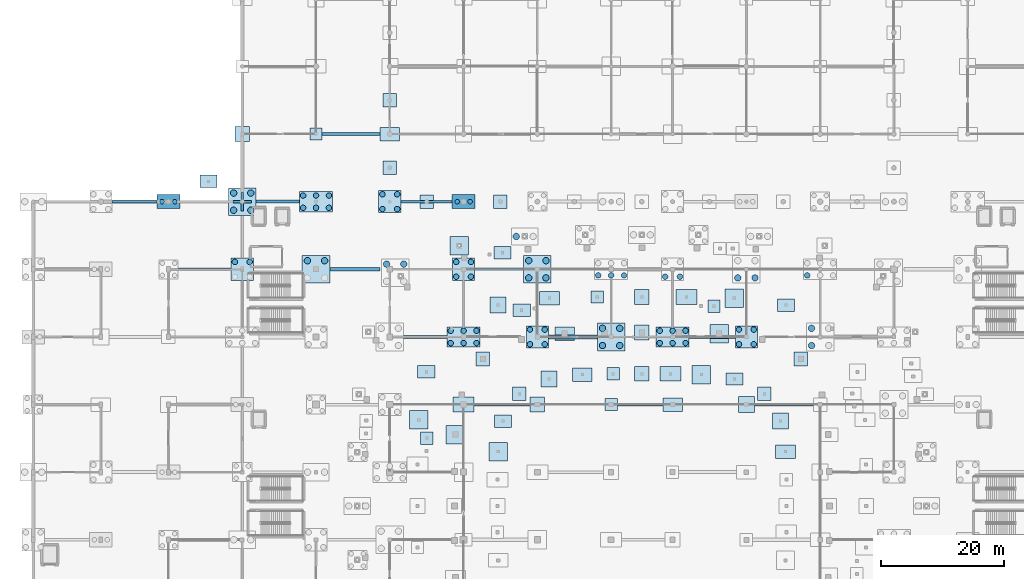
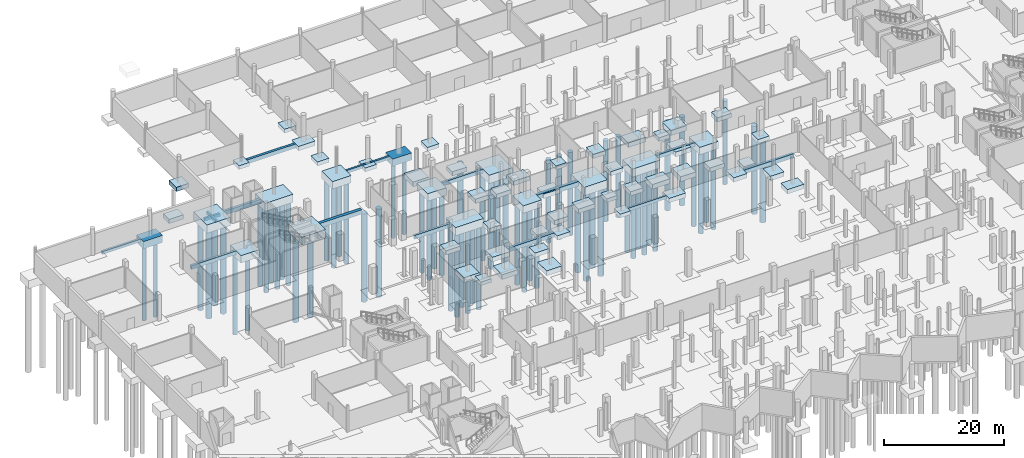
# One storey, part 4 of 60: 75 footings, 67 piles.
"""IFC4 building model written with IfcOpenShell, lengths in metres."""

from ifc_helpers import new_model, si_unit, direction, frame, origin, origin_2d, place, context, subcontext, project, spatial, rectangle, circle, extrude, material, material_profile, profile_set, type_object, element, save


model = new_model("IFC4")

# Units and contexts
model_context = context("Model", 3, precision=1e-05, world=origin(), true_north=direction((0.0, 1.0)))
body_context = subcontext(model_context, "Body", "Model", "MODEL_VIEW")
ifc_project = project(units=[si_unit("LENGTHUNIT", "METRE"), si_unit("AREAUNIT", "SQUARE_METRE"), si_unit("VOLUMEUNIT", "CUBIC_METRE"), si_unit("PLANEANGLEUNIT", "RADIAN"), si_unit("MASSUNIT", "GRAM", prefix="KILO")], contexts=[model_context])

# Site, building, storey
site_placement = place(None, origin())
site = spatial("IfcSite", under=ifc_project, at=site_placement, CompositionType="ELEMENT")
building_placement = place(site_placement, origin())
building = spatial("IfcBuilding", under=site, at=building_placement, Name="Luwafu Chhajja Arena", CompositionType="ELEMENT")
storey_placement = place(building_placement, frame((0.0, 0.0, -5.39990234375)))
storey = spatial("IfcBuildingStorey", under=building, at=storey_placement, Name="B1", CompositionType="ELEMENT", Elevation=-5.39990234375)

# Footings
ifc_material = material(Name="Concrete C35/45", Category="concrete")
footing_type_1 = type_object("IfcFootingType", Name="Arcade Corner Pad Footing PF-7", PredefinedType="PAD_FOOTING", material=ifc_material)
for number, where, z_axis, x_axis, name in (
    (1, (46.0, 110.0, -0.75), (0.0, 0.0, 1.0), (1.0, 0.0, 0.0), "Pad footing PAD-010"),
    (2, (94.0, 66.0, -0.75), (0.0, 0.0, 1.0), (1.0, 0.0, 0.0), "Pad footing PAD-033"),
    (3, (94.326904296875, 70.994140625, -0.75), (0.0, 0.0, 1.0), (1.0, 0.0, 0.0), "Pad footing PAD-159"),
    (4, (91.74169921875, 83.49072265625, -0.75), (0.0, 0.0, 1.0), (1.0, 0.0, 0.0), "Pad footing PAD-160"),
    (5, (110.74169921875, 81.994140625, -0.75), (0.0, 0.0, 1.0), (1.0, 0.0, 0.0), "Pad footing PAD-222"),
    (6, (64.0341796875, 60.533203125, -0.75), (0.0, 0.0, 1.0), (1.0, 0.0, 0.0), "Pad footing PAD-227"),
):
    element("IfcFooting", number, at=place(storey_placement, frame(where, z_axis=z_axis, x_axis=x_axis)), inside=storey, type_object=footing_type_1, Name=name, PredefinedType="PAD_FOOTING", context=body_context, shape_type="SweptSolid", body=[
        extrude(rectangle(XDim=2.0, YDim=2.0, at=origin_2d()), origin(), (0.0, 0.0, 1.0), 0.75),
    ])
ifc_material_profile_1 = material_profile(ifc_material, rectangle(XDim=0.39990234375, YDim=0.60009765625, at=origin_2d()), Name="RC 400x600")
ifc_profile_set_1 = profile_set([ifc_material_profile_1], Name="Concrete C35/45")
footing_type_2 = type_object("IfcFootingType", Name="Arcade Plinth Tie Beam GB-4", PredefinedType="FOOTING_BEAM", material=ifc_profile_set_1)
footing_1_placement = place(storey_placement, frame((95.0, 66.0, -0.300048828125), z_axis=(1.0, 0.0, 0.0), x_axis=(0.0, 1.0, 0.0)))
element("IfcFooting", 7, at=footing_1_placement, inside=storey, type_object=footing_type_2, Name="Ground tie beam GB-X-053", PredefinedType="FOOTING_BEAM", context=body_context, shape_type="SweptSolid", body=[
    extrude(rectangle(XDim=0.39990234375, YDim=0.60009765625, at=origin_2d()), origin(), (0.0, 0.0, 1.0), 7.39990234375),
])
footing_2_placement = place(storey_placement, frame((12.800048828125, 99.0, -0.300048828125), z_axis=(1.0, 0.0, 0.0), x_axis=(0.0, 1.0, 0.0)))
element("IfcFooting", 8, at=footing_2_placement, inside=storey, type_object=footing_type_2, Name="Ground tie beam GB-X-075", PredefinedType="FOOTING_BEAM", context=body_context, shape_type="SweptSolid", body=[
    extrude(rectangle(XDim=0.39990234375, YDim=0.60009765625, at=origin_2d()), origin(), (0.0, 0.0, 1.0), 7.349853515625),
])
footing_3_placement = place(storey_placement, frame((59.800048828125, 99.0, -0.300048828125), z_axis=(1.0, 0.0, 0.0), x_axis=(0.0, 1.0, 0.0)))
element("IfcFooting", 9, at=footing_3_placement, inside=storey, type_object=footing_type_2, Name="Ground tie beam GB-X-077", PredefinedType="FOOTING_BEAM", context=body_context, shape_type="SweptSolid", body=[
    extrude(rectangle(XDim=0.39990234375, YDim=0.60009765625, at=origin_2d()), origin(), (0.0, 0.0, 1.0), 8.349853515625),
])
for number, where, z_axis, x_axis, name in (
    (10, (32.5, 99.0, -0.4501953125), (1.0, 0.0, 0.0), (0.0, 1.0, 0.0), "B1 Movement Joint Wall Sill Tie Beam 02"),
    (11, (34.0, 97.5, -0.4501953125), (0.0, 1.0, 0.0), (-1.0, 0.0, 0.0), "B1 Movement Joint Wall Sill Tie Beam 03"),
):
    element("IfcFooting", number, at=place(storey_placement, frame(where, z_axis=z_axis, x_axis=x_axis)), inside=storey, type_object=footing_type_2, Name=name, PredefinedType="FOOTING_BEAM", context=body_context, shape_type="SweptSolid", body=[
        extrude(rectangle(XDim=0.39990234375, YDim=0.60009765625, at=origin_2d()), origin(), (0.0, 0.0, 1.0), 3.0),
    ])

# Piles
ifc_material_profile_2 = material_profile(ifc_material, circle(Radius=0.52490234375, at=origin_2d()), Name="PILE D1050")
ifc_profile_set_2 = profile_set([ifc_material_profile_2], Name="Concrete C35/45")
pile_type_1 = type_object("IfcPileType", Name="Bored Socketed Pile D1050", PredefinedType="BORED", material=ifc_profile_set_2)
for number, where, z_axis, x_axis, name in (
    (12, (57.471923828125, 88.845458984375, -1.60009765625), (0.0, 0.0, -1.0), (1.0, 0.0, 0.0), "Bored pile PIL-PC-3-002-3"),
    (13, (60.27197265625, 88.845458984375, -1.60009765625), (0.0, 0.0, -1.0), (1.0, 0.0, 0.0), "Bored pile PIL-PC-3-002-4"),
    (14, (32.60009765625, 97.60009765625, -1.60009765625), (0.0, 0.0, -1.0), (1.0, 0.0, 0.0), "Bored pile PIL-PC-3-038-1"),
    (15, (35.39990234375, 97.60009765625, -1.60009765625), (0.0, 0.0, -1.0), (1.0, 0.0, 0.0), "Bored pile PIL-PC-3-038-2"),
    (16, (32.60009765625, 100.39990234375, -1.60009765625), (0.0, 0.0, -1.0), (1.0, 0.0, 0.0), "Bored pile PIL-PC-3-038-3"),
    (17, (35.39990234375, 100.39990234375, -1.60009765625), (0.0, 0.0, -1.0), (1.0, 0.0, 0.0), "Bored pile PIL-PC-3-038-4"),
    (18, (44.60009765625, 89.39990234375, -1.60009765625), (0.0, 0.0, -1.0), (1.0, 0.0, 0.0), "Bored pile PIL-PC-3-047-3"),
    (19, (47.39990234375, 89.39990234375, -1.60009765625), (0.0, 0.0, -1.0), (1.0, 0.0, 0.0), "Bored pile PIL-PC-3-047-4"),
    (20, (80.60009765625, 86.60009765625, -1.60009765625), (0.0, 0.0, -1.0), (1.0, 0.0, 0.0), "Bored pile PIL-PC-3-065-1"),
    (21, (83.39990234375, 86.60009765625, -1.60009765625), (0.0, 0.0, -1.0), (1.0, 0.0, 0.0), "Bored pile PIL-PC-3-065-2"),
    (22, (80.60009765625, 89.39990234375, -1.60009765625), (0.0, 0.0, -1.0), (1.0, 0.0, 0.0), "Bored pile PIL-PC-3-065-3"),
    (23, (83.39990234375, 89.39990234375, -1.60009765625), (0.0, 0.0, -1.0), (1.0, 0.0, 0.0), "Bored pile PIL-PC-3-065-4"),
    (24, (92.60009765625, 75.60009765625, -1.60009765625), (0.0, 0.0, -1.0), (1.0, 0.0, 0.0), "Bored pile PIL-PC-3-069-1"),
    (25, (95.39990234375, 75.60009765625, -1.60009765625), (0.0, 0.0, -1.0), (1.0, 0.0, 0.0), "Bored pile PIL-PC-3-069-2"),
    (26, (92.60009765625, 78.39990234375, -1.60009765625), (0.0, 0.0, -1.0), (1.0, 0.0, 0.0), "Bored pile PIL-PC-3-069-3"),
    (27, (95.39990234375, 78.39990234375, -1.60009765625), (0.0, 0.0, -1.0), (1.0, 0.0, 0.0), "Bored pile PIL-PC-3-069-4"),
    (28, (114.60009765625, 86.60009765625, -1.60009765625), (0.0, 0.0, -1.0), (1.0, 0.0, 0.0), "Bored pile PIL-PC-3-080-1"),
    (29, (117.39990234375, 86.60009765625, -1.60009765625), (0.0, 0.0, -1.0), (1.0, 0.0, 0.0), "Bored pile PIL-PC-3-080-2"),
    (30, (126.60009765625, 75.60009765625, -1.60009765625), (0.0, 0.0, -1.0), (1.0, 0.0, 0.0), "Bored pile PIL-PC-3-084-1"),
    (31, (126.60009765625, 78.39990234375, -1.60009765625), (0.0, 0.0, -1.0), (1.0, 0.0, 0.0), "Bored pile PIL-PC-3-084-3"),
    (32, (78.557861328125, 93.3447265625, -1.5), (0.0, 0.0, -1.0), (1.0, 0.0, 0.0), "Bored pile PIL-PC-2-139-1"),
):
    element("IfcPile", number, at=place(storey_placement, frame(where, z_axis=z_axis, x_axis=x_axis)), inside=storey, type_object=pile_type_1, Name=name, PredefinedType="BORED", context=body_context, shape_type="SweptSolid", body=[
        extrude(circle(Radius=0.52490234375, at=origin_2d()), origin(), (0.0, 0.0, 1.0), 18.0),
    ])
ifc_material_profile_3 = material_profile(ifc_material, circle(Radius=0.375, at=origin_2d()), Name="PILE D750")
ifc_profile_set_3 = profile_set([ifc_material_profile_3], Name="Concrete C35/45")
pile_type_2 = type_object("IfcPileType", Name="Bored Socketed Pile D750", PredefinedType="BORED", material=ifc_profile_set_3)
for number, where, z_axis, x_axis, name in (
    (33, (20.949951171875, 99.0, -1.35009765625), (0.0, 0.0, -1.0), (1.0, 0.0, 0.0), "Bored pile PIL-PC-6-028-1"),
    (34, (23.050048828125, 99.0, -1.35009765625), (0.0, 0.0, -1.0), (1.0, 0.0, 0.0), "Bored pile PIL-PC-6-028-2"),
    (35, (68.949951171875, 99.0, -1.35009765625), (0.0, 0.0, -1.0), (1.0, 0.0, 0.0), "Bored pile PIL-PC-6-061-1"),
    (36, (71.050048828125, 99.0, -1.35009765625), (0.0, 0.0, -1.0), (1.0, 0.0, 0.0), "Bored pile PIL-PC-6-061-2"),
):
    element("IfcPile", number, at=place(storey_placement, frame(where, z_axis=z_axis, x_axis=x_axis)), inside=storey, type_object=pile_type_2, Name=name, PredefinedType="BORED", context=body_context, shape_type="SweptSolid", body=[
        extrude(circle(Radius=0.375, at=origin_2d()), origin(), (0.0, 0.0, 1.0), 15.5),
    ])
ifc_material_profile_4 = material_profile(ifc_material, circle(Radius=0.449951171875, at=origin_2d()), Name="PILE D900")
ifc_profile_set_4 = profile_set([ifc_material_profile_4], Name="Concrete C35/45")
pile_type_3 = type_object("IfcPileType", Name="Bored Socketed Pile D900", PredefinedType="BORED", material=ifc_profile_set_4)
for number, where, z_axis, x_axis, name in (
    (37, (32.800048828125, 89.199951171875, -1.400146484375), (0.0, 0.0, -1.0), (1.0, 0.0, 0.0), "Bored pile PIL-PC-1-037-3"),
    (38, (35.199951171875, 89.199951171875, -1.400146484375), (0.0, 0.0, -1.0), (1.0, 0.0, 0.0), "Bored pile PIL-PC-1-037-4"),
):
    element("IfcPile", number, at=place(storey_placement, frame(where, z_axis=z_axis, x_axis=x_axis)), inside=storey, type_object=pile_type_3, Name=name, PredefinedType="BORED", context=body_context, shape_type="SweptSolid", body=[
        extrude(circle(Radius=0.449951171875, at=origin_2d()), origin(), (0.0, 0.0, 1.0), 16.5),
    ])
for number, where, z_axis, x_axis, name in (
    (39, (43.89990234375, 98.0, -1.550048828125), (0.0, 0.0, -1.0), (1.0, 0.0, 0.0), "Bored pile PIL-PC-5-048-1"),
    (40, (46.0, 98.0, -1.550048828125), (0.0, 0.0, -1.0), (1.0, 0.0, 0.0), "Bored pile PIL-PC-5-048-2"),
    (41, (48.10009765625, 98.0, -1.550048828125), (0.0, 0.0, -1.0), (1.0, 0.0, 0.0), "Bored pile PIL-PC-5-048-3"),
    (42, (43.89990234375, 100.0, -1.550048828125), (0.0, 0.0, -1.0), (1.0, 0.0, 0.0), "Bored pile PIL-PC-5-048-4"),
    (43, (46.0, 100.0, -1.550048828125), (0.0, 0.0, -1.0), (1.0, 0.0, 0.0), "Bored pile PIL-PC-5-048-5"),
    (44, (48.10009765625, 100.0, -1.550048828125), (0.0, 0.0, -1.0), (1.0, 0.0, 0.0), "Bored pile PIL-PC-5-048-6"),
):
    element("IfcPile", number, at=place(storey_placement, frame(where, z_axis=z_axis, x_axis=x_axis)), inside=storey, type_object=pile_type_3, Name=name, PredefinedType="BORED", context=body_context, shape_type="SweptSolid", body=[
        extrude(circle(Radius=0.449951171875, at=origin_2d()), origin(), (0.0, 0.0, 1.0), 17.0),
    ])
for number, where, z_axis, x_axis, name in (
    (45, (56.800048828125, 97.800048828125, -1.400146484375), (0.0, 0.0, -1.0), (1.0, 0.0, 0.0), "Bored pile PIL-PC-1-056-1"),
    (46, (59.199951171875, 97.800048828125, -1.400146484375), (0.0, 0.0, -1.0), (1.0, 0.0, 0.0), "Bored pile PIL-PC-1-056-2"),
    (47, (56.800048828125, 100.199951171875, -1.400146484375), (0.0, 0.0, -1.0), (1.0, 0.0, 0.0), "Bored pile PIL-PC-1-056-3"),
    (48, (59.199951171875, 100.199951171875, -1.400146484375), (0.0, 0.0, -1.0), (1.0, 0.0, 0.0), "Bored pile PIL-PC-1-056-4"),
):
    element("IfcPile", number, at=place(storey_placement, frame(where, z_axis=z_axis, x_axis=x_axis)), inside=storey, type_object=pile_type_3, Name=name, PredefinedType="BORED", context=body_context, shape_type="SweptSolid", body=[
        extrude(circle(Radius=0.449951171875, at=origin_2d()), origin(), (0.0, 0.0, 1.0), 16.5),
    ])
for number, where, z_axis, x_axis, name in (
    (49, (67.89990234375, 76.0, -1.550048828125), (0.0, 0.0, -1.0), (1.0, 0.0, 0.0), "Bored pile PIL-PC-5-059-1"),
    (50, (70.0, 76.0, -1.550048828125), (0.0, 0.0, -1.0), (1.0, 0.0, 0.0), "Bored pile PIL-PC-5-059-2"),
    (51, (72.10009765625, 76.0, -1.550048828125), (0.0, 0.0, -1.0), (1.0, 0.0, 0.0), "Bored pile PIL-PC-5-059-3"),
    (52, (67.89990234375, 78.0, -1.550048828125), (0.0, 0.0, -1.0), (1.0, 0.0, 0.0), "Bored pile PIL-PC-5-059-4"),
    (53, (70.0, 78.0, -1.550048828125), (0.0, 0.0, -1.0), (1.0, 0.0, 0.0), "Bored pile PIL-PC-5-059-5"),
    (54, (72.10009765625, 78.0, -1.550048828125), (0.0, 0.0, -1.0), (1.0, 0.0, 0.0), "Bored pile PIL-PC-5-059-6"),
):
    element("IfcPile", number, at=place(storey_placement, frame(where, z_axis=z_axis, x_axis=x_axis)), inside=storey, type_object=pile_type_3, Name=name, PredefinedType="BORED", context=body_context, shape_type="SweptSolid", body=[
        extrude(circle(Radius=0.449951171875, at=origin_2d()), origin(), (0.0, 0.0, 1.0), 17.0),
    ])
for number, where, z_axis, x_axis, name in (
    (55, (68.800048828125, 86.800048828125, -1.400146484375), (0.0, 0.0, -1.0), (1.0, 0.0, 0.0), "Bored pile PIL-PC-1-060-1"),
    (56, (71.199951171875, 86.800048828125, -1.400146484375), (0.0, 0.0, -1.0), (1.0, 0.0, 0.0), "Bored pile PIL-PC-1-060-2"),
    (57, (68.800048828125, 89.199951171875, -1.400146484375), (0.0, 0.0, -1.0), (1.0, 0.0, 0.0), "Bored pile PIL-PC-1-060-3"),
    (58, (71.199951171875, 89.199951171875, -1.400146484375), (0.0, 0.0, -1.0), (1.0, 0.0, 0.0), "Bored pile PIL-PC-1-060-4"),
    (59, (80.800048828125, 75.800048828125, -1.400146484375), (0.0, 0.0, -1.0), (1.0, 0.0, 0.0), "Bored pile PIL-PC-1-064-1"),
    (60, (83.199951171875, 75.800048828125, -1.400146484375), (0.0, 0.0, -1.0), (1.0, 0.0, 0.0), "Bored pile PIL-PC-1-064-2"),
    (61, (80.800048828125, 78.199951171875, -1.400146484375), (0.0, 0.0, -1.0), (1.0, 0.0, 0.0), "Bored pile PIL-PC-1-064-3"),
    (62, (83.199951171875, 78.199951171875, -1.400146484375), (0.0, 0.0, -1.0), (1.0, 0.0, 0.0), "Bored pile PIL-PC-1-064-4"),
):
    element("IfcPile", number, at=place(storey_placement, frame(where, z_axis=z_axis, x_axis=x_axis)), inside=storey, type_object=pile_type_3, Name=name, PredefinedType="BORED", context=body_context, shape_type="SweptSolid", body=[
        extrude(circle(Radius=0.449951171875, at=origin_2d()), origin(), (0.0, 0.0, 1.0), 16.5),
    ])
for number, where, z_axis, x_axis, name in (
    (63, (91.89990234375, 87.0, -1.550048828125), (0.0, 0.0, -1.0), (1.0, 0.0, 0.0), "Bored pile PIL-PC-5-070-1"),
    (64, (94.0, 87.0, -1.550048828125), (0.0, 0.0, -1.0), (1.0, 0.0, 0.0), "Bored pile PIL-PC-5-070-2"),
    (65, (96.10009765625, 87.0, -1.550048828125), (0.0, 0.0, -1.0), (1.0, 0.0, 0.0), "Bored pile PIL-PC-5-070-3"),
    (66, (101.89990234375, 76.0, -1.550048828125), (0.0, 0.0, -1.0), (1.0, 0.0, 0.0), "Bored pile PIL-PC-5-074-1"),
    (67, (104.0, 76.0, -1.550048828125), (0.0, 0.0, -1.0), (1.0, 0.0, 0.0), "Bored pile PIL-PC-5-074-2"),
    (68, (106.10009765625, 76.0, -1.550048828125), (0.0, 0.0, -1.0), (1.0, 0.0, 0.0), "Bored pile PIL-PC-5-074-3"),
    (69, (101.89990234375, 78.0, -1.550048828125), (0.0, 0.0, -1.0), (1.0, 0.0, 0.0), "Bored pile PIL-PC-5-074-4"),
    (70, (104.0, 78.0, -1.550048828125), (0.0, 0.0, -1.0), (1.0, 0.0, 0.0), "Bored pile PIL-PC-5-074-5"),
    (71, (106.10009765625, 78.0, -1.550048828125), (0.0, 0.0, -1.0), (1.0, 0.0, 0.0), "Bored pile PIL-PC-5-074-6"),
):
    element("IfcPile", number, at=place(storey_placement, frame(where, z_axis=z_axis, x_axis=x_axis)), inside=storey, type_object=pile_type_3, Name=name, PredefinedType="BORED", context=body_context, shape_type="SweptSolid", body=[
        extrude(circle(Radius=0.449951171875, at=origin_2d()), origin(), (0.0, 0.0, 1.0), 17.0),
    ])
for number, where, z_axis, x_axis, name in (
    (72, (102.800048828125, 86.800048828125, -1.400146484375), (0.0, 0.0, -1.0), (1.0, 0.0, 0.0), "Bored pile PIL-PC-1-075-1"),
    (73, (105.199951171875, 86.800048828125, -1.400146484375), (0.0, 0.0, -1.0), (1.0, 0.0, 0.0), "Bored pile PIL-PC-1-075-2"),
    (74, (114.800048828125, 75.800048828125, -1.400146484375), (0.0, 0.0, -1.0), (1.0, 0.0, 0.0), "Bored pile PIL-PC-1-079-1"),
    (75, (117.199951171875, 75.800048828125, -1.400146484375), (0.0, 0.0, -1.0), (1.0, 0.0, 0.0), "Bored pile PIL-PC-1-079-2"),
    (76, (114.800048828125, 78.199951171875, -1.400146484375), (0.0, 0.0, -1.0), (1.0, 0.0, 0.0), "Bored pile PIL-PC-1-079-3"),
    (77, (117.199951171875, 78.199951171875, -1.400146484375), (0.0, 0.0, -1.0), (1.0, 0.0, 0.0), "Bored pile PIL-PC-1-079-4"),
):
    element("IfcPile", number, at=place(storey_placement, frame(where, z_axis=z_axis, x_axis=x_axis)), inside=storey, type_object=pile_type_3, Name=name, PredefinedType="BORED", context=body_context, shape_type="SweptSolid", body=[
        extrude(circle(Radius=0.449951171875, at=origin_2d()), origin(), (0.0, 0.0, 1.0), 16.5),
    ])
pile_placement = place(storey_placement, frame((125.89990234375, 87.0, -1.550048828125), z_axis=(0.0, 0.0, -1.0), x_axis=(1.0, 0.0, 0.0)))
element("IfcPile", 78, at=pile_placement, inside=storey, type_object=pile_type_3, Name="Bored pile PIL-PC-5-085-1", PredefinedType="BORED", context=body_context, shape_type="SweptSolid", body=[
    extrude(circle(Radius=0.449951171875, at=origin_2d()), origin(), (0.0, 0.0, 1.0), 17.0),
])

# Footings
footing_type_3 = type_object("IfcFootingType", Name="Charbagh Arcade Pad Footing PF-2", PredefinedType="PAD_FOOTING", material=ifc_material)
for number, where, z_axis, x_axis, name in (
    (79, (64.0, 99.0, -0.80029296875), (0.0, 0.0, 1.0), (1.0, 0.0, 0.0), "Pad footing PAD-105"),
    (80, (76.0, 99.0, -0.80029296875), (0.0, 0.0, 1.0), (1.0, 0.0, 0.0), "Pad footing PAD-106"),
    (81, (58.0, 104.5, -0.80029296875), (0.0, 0.0, 1.0), (1.0, 0.0, 0.0), "Pad footing PAD-112"),
    (82, (58.0, 115.5, -0.80029296875), (0.0, 0.0, 1.0), (1.0, 0.0, 0.0), "Pad footing PAD-114"),
    (83, (118.9248046875, 67.72900390625, -0.80029296875), (0.0, 0.0, 1.0), (1.0, 0.0, 0.0), "Pad footing PAD-147"),
    (84, (124.85986328125, 73.409912109375, -0.80029296875), (0.0, 0.0, 1.0), (1.0, 0.0, 0.0), "Pad footing PAD-148"),
    (85, (79.0751953125, 67.72900390625, -0.80029296875), (0.0, 0.0, 1.0), (1.0, 0.0, 0.0), "Pad footing PAD-166"),
    (86, (73.14013671875, 73.409912109375, -0.80029296875), (0.0, 0.0, 1.0), (1.0, 0.0, 0.0), "Pad footing PAD-167"),
):
    element("IfcFooting", number, at=place(storey_placement, frame(where, z_axis=z_axis, x_axis=x_axis)), inside=storey, type_object=footing_type_3, Name=name, PredefinedType="PAD_FOOTING", context=body_context, shape_type="SweptSolid", body=[
        extrude(rectangle(XDim=2.199951171875, YDim=2.199951171875, at=origin_2d()), origin(), (0.0, 0.0, 1.0), 0.800048828125),
    ])
footing_type_4 = type_object("IfcFootingType", Name="Colonnade Pad Footing PF-1", PredefinedType="PAD_FOOTING", material=ifc_material)
for number, where, z_axis, x_axis, name in (
    (87, (116.0, 66.0, -0.900146484375), (0.0, 0.0, 1.0), (1.0, 0.0, 0.0), "Pad footing PAD-047"),
    (88, (121.57421875, 63.2998046875, -0.900146484375), (0.0, 0.0, 1.0), (1.0, 0.0, 0.0), "Pad footing PAD-145"),
    (89, (83.91650390625, 70.153076171875, -0.900146484375), (0.0, 0.0, 1.0), (1.0, 0.0, 0.0), "Pad footing PAD-164"),
    (90, (75.572265625, 82.16064453125, -0.900146484375), (0.0, 0.0, 1.0), (1.0, 0.0, 0.0), "Pad footing PAD-165"),
):
    element("IfcFooting", number, at=place(storey_placement, frame(where, z_axis=z_axis, x_axis=x_axis)), inside=storey, type_object=footing_type_4, Name=name, PredefinedType="PAD_FOOTING", context=body_context, shape_type="SweptSolid", body=[
        extrude(rectangle(XDim=2.60009765625, YDim=2.60009765625, at=origin_2d()), origin(), (0.0, 0.0, 1.0), 0.89990234375),
    ])
footing_type_5 = type_object("IfcFootingType", Name="Forecourt Canopy Pad Footing PF-3", PredefinedType="PAD_FOOTING", material=ifc_material)
for number, where, z_axis, x_axis, name in (
    (91, (114.08349609375, 70.153076171875, -0.85009765625), (0.0, 0.0, 1.0), (1.0, 0.0, 0.0), "Pad footing PAD-149"),
    (92, (122.427734375, 82.16064453125, -0.85009765625), (0.0, 0.0, 1.0), (1.0, 0.0, 0.0), "Pad footing PAD-150"),
    (93, (76.42578125, 63.2998046875, -0.85009765625), (0.0, 0.0, 1.0), (1.0, 0.0, 0.0), "Pad footing PAD-168"),
    (94, (63.93798828125, 71.322998046875, -0.85009765625), (0.0, 0.0, 1.0), (1.0, 0.0, 0.0), "Pad footing PAD-169"),
    (95, (28.5, 102.300048828125, -0.85009765625), (0.0, 0.0, 1.0), (1.0, 0.0, 0.0), "Pad footing PAD-213"),
    (96, (79.456298828125, 81.335205078125, -0.85009765625), (0.0, 0.0, 1.0), (1.0, 0.0, 0.0), "Pad footing PAD-225"),
    (97, (76.332763671875, 90.693115234375, -0.85009765625), (0.0, 0.0, 1.0), (1.0, 0.0, 0.0), "Pad footing PAD-226"),
):
    element("IfcFooting", number, at=place(storey_placement, frame(where, z_axis=z_axis, x_axis=x_axis)), inside=storey, type_object=footing_type_5, Name=name, PredefinedType="PAD_FOOTING", context=body_context, shape_type="SweptSolid", body=[
        extrude(rectangle(XDim=2.800048828125, YDim=2.0, at=origin_2d()), origin(), (0.0, 0.0, 1.0), 0.85009765625),
    ])
footing_type_6 = type_object("IfcFootingType", Name="Light Court Pad Footing PF-8", PredefinedType="PAD_FOOTING", material=ifc_material)
for number, where, z_axis, x_axis, name in (
    (98, (58.0, 110.0, -0.900146484375), (0.0, 0.0, 1.0), (1.0, 0.0, 0.0), "Pad footing PAD-013"),
    (99, (104.0, 66.0, -0.900146484375), (0.0, 0.0, 1.0), (1.0, 0.0, 0.0), "Pad footing PAD-040"),
    (100, (122.364013671875, 58.35400390625, -0.900146484375), (0.0, 0.0, 1.0), (1.0, 0.0, 0.0), "Pad footing PAD-142"),
    (101, (89.322265625, 70.87548828125, -0.900146484375), (0.0, 0.0, 1.0), (1.0, 0.0, 0.0), "Pad footing PAD-161"),
    (102, (83.96875, 83.30322265625, -0.900146484375), (0.0, 0.0, 1.0), (1.0, 0.0, 0.0), "Pad footing PAD-162"),
    (103, (86.439697265625, 77.536865234375, -0.900146484375), (0.0, 0.0, 1.0), (1.0, 0.0, 0.0), "Pad footing PAD-163"),
):
    element("IfcFooting", number, at=place(storey_placement, frame(where, z_axis=z_axis, x_axis=x_axis)), inside=storey, type_object=footing_type_6, Name=name, PredefinedType="PAD_FOOTING", context=body_context, shape_type="SweptSolid", body=[
        extrude(rectangle(XDim=3.199951171875, YDim=2.199951171875, at=origin_2d()), origin(), (0.0, 0.0, 1.0), 0.89990234375),
    ])
footing_type_7 = type_object("IfcFootingType", Name="Pavilion Corner Pad Footing PF-4", PredefinedType="PAD_FOOTING", material=ifc_material)
for number, where, z_axis, x_axis, name in (
    (104, (69.281982421875, 91.86279296875, -1.0), (0.0, 0.0, 1.0), (1.0, 0.0, 0.0), "Pad footing PAD-090"),
    (105, (108.677734375, 70.87548828125, -1.0), (0.0, 0.0, 1.0), (1.0, 0.0, 0.0), "Pad footing PAD-151"),
    (106, (114.03125, 83.30322265625, -1.0), (0.0, 0.0, 1.0), (1.0, 0.0, 0.0), "Pad footing PAD-152"),
    (107, (111.560302734375, 77.536865234375, -1.0), (0.0, 0.0, 1.0), (1.0, 0.0, 0.0), "Pad footing PAD-153"),
    (108, (75.635986328125, 58.35400390625, -1.0), (0.0, 0.0, 1.0), (1.0, 0.0, 0.0), "Pad footing PAD-170"),
    (109, (62.711181640625, 63.501708984375, -1.0), (0.0, 0.0, 1.0), (1.0, 0.0, 0.0), "Pad footing PAD-171"),
    (110, (68.676513671875, 61.11328125, -1.0), (0.0, 0.0, 1.0), (1.0, 0.0, 0.0), "Pad footing PAD-172"),
):
    element("IfcFooting", number, at=place(storey_placement, frame(where, z_axis=z_axis, x_axis=x_axis)), inside=storey, type_object=footing_type_7, Name=name, PredefinedType="PAD_FOOTING", context=body_context, shape_type="SweptSolid", body=[
        extrude(rectangle(XDim=3.0, YDim=3.0, at=origin_2d()), origin(), (0.0, 0.0, 1.0), 1.0),
    ])
ifc_material_profile_5 = material_profile(ifc_material, rectangle(XDim=0.449951171875, YDim=0.75, at=origin_2d()), Name="RC 450x750")
ifc_profile_set_5 = profile_set([ifc_material_profile_5], Name="Concrete C35/45")
footing_type_8 = type_object("IfcFootingType", Name="Perimeter Plinth Ground Beam GB-3", PredefinedType="FOOTING_BEAM", material=ifc_profile_set_5)
footing_4_placement = place(storey_placement, frame((60.25, 77.0, -0.375), z_axis=(1.0, 0.0, 0.0), x_axis=(0.0, 1.0, 0.0)))
element("IfcFooting", 111, at=footing_4_placement, inside=storey, type_object=footing_type_8, Name="Ground tie beam GB-X-060", PredefinedType="FOOTING_BEAM", context=body_context, shape_type="SweptSolid", body=[
    extrude(rectangle(XDim=0.449951171875, YDim=0.75, at=origin_2d()), origin(), (0.0, 0.0, 1.0), 7.050048828125),
])
footing_5_placement = place(storey_placement, frame((106.699951171875, 77.0, -0.375), z_axis=(1.0, 0.0, 0.0), x_axis=(0.0, 1.0, 0.0)))
element("IfcFooting", 112, at=footing_5_placement, inside=storey, type_object=footing_type_8, Name="Ground tie beam GB-X-062", PredefinedType="FOOTING_BEAM", context=body_context, shape_type="SweptSolid", body=[
    extrude(rectangle(XDim=0.449951171875, YDim=0.75, at=origin_2d()), origin(), (0.0, 0.0, 1.0), 7.5),
])
footing_6_placement = place(storey_placement, frame((23.550048828125, 88.0, -0.375), z_axis=(1.0, 0.0, 0.0), x_axis=(0.0, 1.0, 0.0)))
element("IfcFooting", 113, at=footing_6_placement, inside=storey, type_object=footing_type_8, Name="Ground tie beam GB-X-067", PredefinedType="FOOTING_BEAM", context=body_context, shape_type="SweptSolid", body=[
    extrude(rectangle(XDim=0.449951171875, YDim=0.75, at=origin_2d()), origin(), (0.0, 0.0, 1.0), 8.64990234375),
])
footing_7_placement = place(storey_placement, frame((71.800048828125, 88.0, -0.375), z_axis=(1.0, 0.0, 0.0), x_axis=(0.0, 1.0, 0.0)))
element("IfcFooting", 114, at=footing_7_placement, inside=storey, type_object=footing_type_8, Name="Ground tie beam GB-X-069", PredefinedType="FOOTING_BEAM", context=body_context, shape_type="SweptSolid", body=[
    extrude(rectangle(XDim=0.449951171875, YDim=0.75, at=origin_2d()), origin(), (0.0, 0.0, 1.0), 7.949951171875),
])
ifc_material_profile_6 = material_profile(ifc_material, rectangle(XDim=0.60009765625, YDim=0.89990234375, at=origin_2d()), Name="RC 600x900")
ifc_profile_set_6 = profile_set([ifc_material_profile_6], Name="Concrete C35/45")
footing_type_9 = type_object("IfcFootingType", Name="Primary Ground Tie Beam GB-1", PredefinedType="FOOTING_BEAM", material=ifc_profile_set_6)
footing_8_placement = place(storey_placement, frame((83.800048828125, 77.0, -0.4501953125), z_axis=(1.0, 0.0, 0.0), x_axis=(0.0, 1.0, 0.0)))
element("IfcFooting", 115, at=footing_8_placement, inside=storey, type_object=footing_type_9, Name="Ground tie beam GB-X-061", PredefinedType="FOOTING_BEAM", context=body_context, shape_type="SweptSolid", body=[
    extrude(rectangle(XDim=0.60009765625, YDim=0.89990234375, at=origin_2d()), origin(), (0.0, 0.0, 1.0), 7.949951171875),
])
footing_9_placement = place(storey_placement, frame((48.25, 88.0, -0.4501953125), z_axis=(1.0, 0.0, 0.0), x_axis=(0.0, 1.0, 0.0)))
element("IfcFooting", 116, at=footing_9_placement, inside=storey, type_object=footing_type_9, Name="Ground tie beam GB-X-068", PredefinedType="FOOTING_BEAM", context=body_context, shape_type="SweptSolid", body=[
    extrude(rectangle(XDim=0.60009765625, YDim=0.89990234375, at=origin_2d()), origin(), (0.0, 0.0, 1.0), 8.14990234375),
])
footing_type_10 = type_object("IfcFootingType", Name="Raker Plinth Pad Footing PF-6", PredefinedType="PAD_FOOTING", material=ifc_material)
for number, where, z_axis, x_axis, name in (
    (117, (34.0, 110.0, -0.85009765625), (0.0, 0.0, 1.0), (1.0, 0.0, 0.0), "Pad footing PAD-007"),
    (118, (82.0, 66.0, -0.85009765625), (0.0, 0.0, 1.0), (1.0, 0.0, 0.0), "Pad footing PAD-026"),
    (119, (99.0, 71.0, -0.85009765625), (0.0, 0.0, 1.0), (1.0, 0.0, 0.0), "Pad footing PAD-156"),
    (120, (99.0, 83.5, -0.85009765625), (0.0, 0.0, 1.0), (1.0, 0.0, 0.0), "Pad footing PAD-157"),
    (121, (99.0, 77.699951171875, -0.85009765625), (0.0, 0.0, 1.0), (1.0, 0.0, 0.0), "Pad footing PAD-158"),
):
    element("IfcFooting", number, at=place(storey_placement, frame(where, z_axis=z_axis, x_axis=x_axis)), inside=storey, type_object=footing_type_10, Name=name, PredefinedType="PAD_FOOTING", context=body_context, shape_type="SweptSolid", body=[
        extrude(rectangle(XDim=2.39990234375, YDim=2.39990234375, at=origin_2d()), origin(), (0.0, 0.0, 1.0), 0.85009765625),
    ])
footing_type_11 = type_object("IfcFootingType", Name="Ramp Toe Pad Footing PF-5", PredefinedType="PAD_FOOTING", material=ifc_material)
for number, where, z_axis, x_axis, name in (
    (122, (70.0, 66.0, -0.9501953125), (0.0, 0.0, 1.0), (1.0, 0.0, 0.0), "Pad footing PAD-019"),
    (123, (103.673095703125, 70.994140625, -0.9501953125), (0.0, 0.0, 1.0), (1.0, 0.0, 0.0), "Pad footing PAD-154"),
    (124, (106.25830078125, 83.49072265625, -0.9501953125), (0.0, 0.0, 1.0), (1.0, 0.0, 0.0), "Pad footing PAD-155"),
):
    element("IfcFooting", number, at=place(storey_placement, frame(where, z_axis=z_axis, x_axis=x_axis)), inside=storey, type_object=footing_type_11, Name=name, PredefinedType="PAD_FOOTING", context=body_context, shape_type="SweptSolid", body=[
        extrude(rectangle(XDim=3.39990234375, YDim=2.39990234375, at=origin_2d()), origin(), (0.0, 0.0, 1.0), 0.949951171875),
    ])
footing_type_12 = type_object("IfcFootingType", Name="Reinforced Concrete Pile Cap PC-1", PredefinedType="PILE_CAP", material=ifc_material)
for number, where, z_axis, x_axis, name in (
    (125, (34.0, 88.0, -1.5), (0.0, 0.0, 1.0), (1.0, 0.0, 0.0), "Pile cap PC-1 037"),
    (126, (58.0, 99.0, -1.5), (0.0, 0.0, 1.0), (1.0, 0.0, 0.0), "Pile cap PC-1 056"),
    (127, (70.0, 88.0, -1.5), (0.0, 0.0, 1.0), (1.0, 0.0, 0.0), "Pile cap PC-1 060"),
    (128, (82.0, 77.0, -1.5), (0.0, 0.0, 1.0), (1.0, 0.0, 0.0), "Pile cap PC-1 064"),
    (129, (116.0, 77.0, -1.5), (0.0, 0.0, 1.0), (1.0, 0.0, 0.0), "Pile cap PC-1 079"),
):
    element("IfcFooting", number, at=place(storey_placement, frame(where, z_axis=z_axis, x_axis=x_axis)), inside=storey, type_object=footing_type_12, Name=name, PredefinedType="PILE_CAP", context=body_context, shape_type="SweptSolid", body=[
        extrude(rectangle(XDim=3.60009765625, YDim=3.60009765625, at=origin_2d()), origin(), (0.0, 0.0, 1.0), 1.5),
    ])
footing_type_13 = type_object("IfcFootingType", Name="Reinforced Concrete Pile Cap PC-3", PredefinedType="PILE_CAP", material=ifc_material)
for number, where, z_axis, x_axis, name in (
    (130, (34.0, 99.0, -1.7001953125), (0.0, 0.0, 1.0), (1.0, 0.0, 0.0), "Pile cap PC-3 038"),
    (131, (46.0, 88.0, -1.7001953125), (0.0, 0.0, 1.0), (1.0, 0.0, 0.0), "Pile cap PC-3 047"),
    (132, (82.0, 88.0, -1.7001953125), (0.0, 0.0, 1.0), (1.0, 0.0, 0.0), "Pile cap PC-3 065"),
    (133, (94.0, 77.0, -1.7001953125), (0.0, 0.0, 1.0), (1.0, 0.0, 0.0), "Pile cap PC-3 069"),
):
    element("IfcFooting", number, at=place(storey_placement, frame(where, z_axis=z_axis, x_axis=x_axis)), inside=storey, type_object=footing_type_13, Name=name, PredefinedType="PILE_CAP", context=body_context, shape_type="SweptSolid", body=[
        extrude(rectangle(XDim=4.5, YDim=4.5, at=origin_2d()), origin(), (0.0, 0.0, 1.0), 1.699951171875),
    ])
footing_type_14 = type_object("IfcFootingType", Name="Reinforced Concrete Pile Cap PC-5", PredefinedType="PILE_CAP", material=ifc_material)
for number, where, z_axis, x_axis, name in (
    (134, (46.0, 99.0, -1.650146484375), (0.0, 0.0, 1.0), (1.0, 0.0, 0.0), "Pile cap PC-5 048"),
    (135, (70.0, 77.0, -1.650146484375), (0.0, 0.0, 1.0), (1.0, 0.0, 0.0), "Pile cap PC-5 059"),
    (136, (104.0, 77.0, -1.650146484375), (0.0, 0.0, 1.0), (1.0, 0.0, 0.0), "Pile cap PC-5 074"),
):
    element("IfcFooting", number, at=place(storey_placement, frame(where, z_axis=z_axis, x_axis=x_axis)), inside=storey, type_object=footing_type_14, Name=name, PredefinedType="PILE_CAP", context=body_context, shape_type="SweptSolid", body=[
        extrude(rectangle(XDim=5.39990234375, YDim=3.300048828125, at=origin_2d()), origin(), (0.0, 0.0, 1.0), 1.64990234375),
    ])
footing_type_15 = type_object("IfcFootingType", Name="Reinforced Concrete Pile Cap PC-6", PredefinedType="PILE_CAP", material=ifc_material)
for number, where, z_axis, x_axis, name in (
    (137, (22.0, 99.0, -1.4501953125), (0.0, 0.0, 1.0), (1.0, 0.0, 0.0), "Pile cap PC-6 028"),
    (138, (70.0, 99.0, -1.4501953125), (0.0, 0.0, 1.0), (1.0, 0.0, 0.0), "Pile cap PC-6 061"),
):
    element("IfcFooting", number, at=place(storey_placement, frame(where, z_axis=z_axis, x_axis=x_axis)), inside=storey, type_object=footing_type_15, Name=name, PredefinedType="PILE_CAP", context=body_context, shape_type="SweptSolid", body=[
        extrude(rectangle(XDim=3.699951171875, YDim=2.300048828125, at=origin_2d()), origin(), (0.0, 0.0, 1.0), 1.449951171875),
    ])
ifc_material_profile_7 = material_profile(ifc_material, rectangle(XDim=0.5, YDim=0.800048828125, at=origin_2d()), Name="RC 500x800")
ifc_profile_set_7 = profile_set([ifc_material_profile_7], Name="Concrete C35/45")
footing_type_16 = type_object("IfcFootingType", Name="Secondary Ground Tie Beam GB-2", PredefinedType="FOOTING_BEAM", material=ifc_profile_set_7)
footing_10_placement = place(storey_placement, frame((71.699951171875, 66.0, -0.400146484375), z_axis=(1.0, 0.0, 0.0), x_axis=(0.0, 1.0, 0.0)))
element("IfcFooting", 139, at=footing_10_placement, inside=storey, type_object=footing_type_16, Name="Ground tie beam GB-X-052", PredefinedType="FOOTING_BEAM", context=body_context, shape_type="SweptSolid", body=[
    extrude(rectangle(XDim=0.5, YDim=0.800048828125, at=origin_2d()), origin(), (0.0, 0.0, 1.0), 9.10009765625),
])
footing_11_placement = place(storey_placement, frame((117.300048828125, 66.0, -0.400146484375), z_axis=(1.0, 0.0, 0.0), x_axis=(0.0, 1.0, 0.0)))
element("IfcFooting", 140, at=footing_11_placement, inside=storey, type_object=footing_type_16, Name="Ground tie beam GB-X-054", PredefinedType="FOOTING_BEAM", context=body_context, shape_type="SweptSolid", body=[
    extrude(rectangle(XDim=0.5, YDim=0.800048828125, at=origin_2d()), origin(), (0.0, 0.0, 1.0), 9.599853515625),
])
footing_12_placement = place(storey_placement, frame((36.25, 99.0, -0.400146484375), z_axis=(1.0, 0.0, 0.0), x_axis=(0.0, 1.0, 0.0)))
element("IfcFooting", 141, at=footing_12_placement, inside=storey, type_object=footing_type_16, Name="Ground tie beam GB-X-076", PredefinedType="FOOTING_BEAM", context=body_context, shape_type="SweptSolid", body=[
    extrude(rectangle(XDim=0.5, YDim=0.800048828125, at=origin_2d()), origin(), (0.0, 0.0, 1.0), 7.050048828125),
])
footing_13_placement = place(storey_placement, frame((47.0, 110.0, -0.400146484375), z_axis=(1.0, 0.0, 0.0), x_axis=(0.0, 1.0, 0.0)))
element("IfcFooting", 142, at=footing_13_placement, inside=storey, type_object=footing_type_16, Name="Ground tie beam GB-X-083", PredefinedType="FOOTING_BEAM", context=body_context, shape_type="SweptSolid", body=[
    extrude(rectangle(XDim=0.5, YDim=0.800048828125, at=origin_2d()), origin(), (0.0, 0.0, 1.0), 9.39990234375),
])

save(model, "model.ifc")
